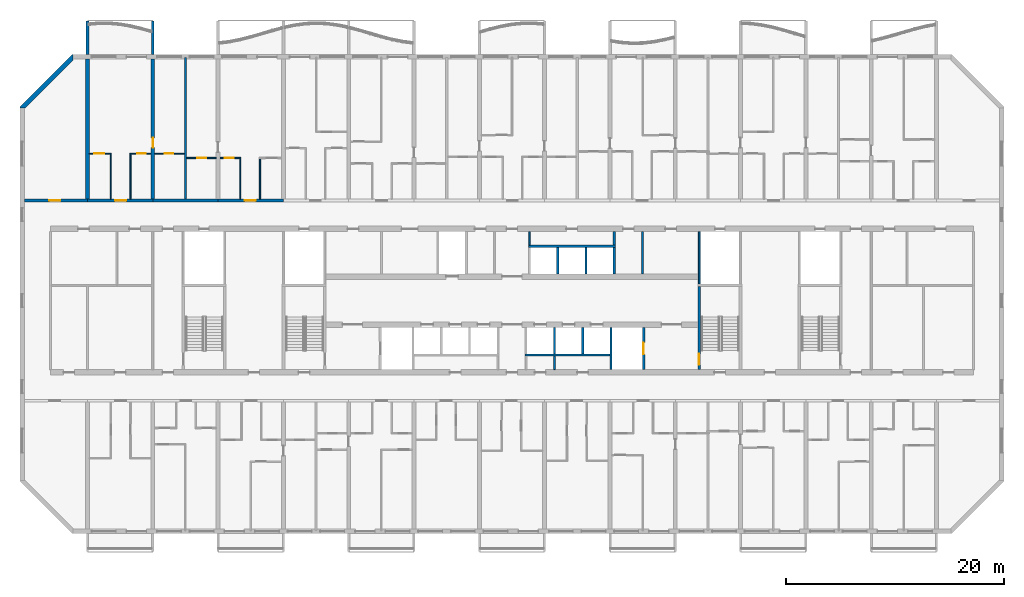
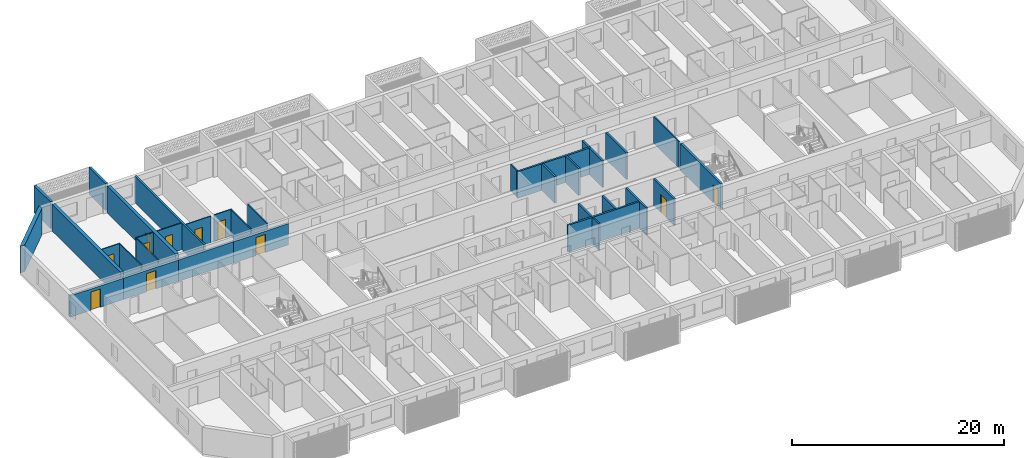
# One storey, part 9 of 29: 34 walls, 11 doors, 11 openings.
"""IFC4 building model written with IfcOpenShell, lengths in metres."""

from ifc_helpers import new_model, si_unit, direction, frame, frame_2d, origin, place, context, subcontext, project, spatial, polyline, rectangle, outline, extrude, source, transform, mapped, material, layer, layer_set, type_object, element, fill, save


model = new_model("IFC4")

# Units and contexts
model_context = context("Model", 3, precision=1e-05, world=origin(), true_north=direction((0.0, 1.0)))
body_context = subcontext(model_context, "Body", "Model", "MODEL_VIEW")
ifc_project = project(units=[si_unit("LENGTHUNIT", "METRE"), si_unit("AREAUNIT", "SQUARE_METRE"), si_unit("VOLUMEUNIT", "CUBIC_METRE"), si_unit("PLANEANGLEUNIT", "RADIAN"), si_unit("MASSUNIT", "GRAM", prefix="KILO")], contexts=[model_context])

# Site, building, storey
site_placement = place(None, origin())
site = spatial("IfcSite", under=ifc_project, at=site_placement, CompositionType="ELEMENT")
building_placement = place(site_placement, origin())
building = spatial("IfcBuilding", under=site, at=building_placement, Name="Poui Terraces", CompositionType="ELEMENT")
storey_placement = place(building_placement, frame((0.0, 0.0, 86.10009765625)))
storey = spatial("IfcBuildingStorey", under=building, at=storey_placement, Name="L23", CompositionType="ELEMENT", Elevation=86.10009765625)

# Wall
ifc_material_1 = material(Name="Fire-rated plasterboard wall")
ifc_layer_1 = layer(ifc_material_1, 0.14990234375)
ifc_layer_set_1 = layer_set([ifc_layer_1], Name="Fire-rated plasterboard wall")
wall_type_1 = type_object("IfcWallType", Name="CORRIDOR WALL 150", PredefinedType="PARTITIONING", material=ifc_layer_set_1)
wall_1_placement = place(storey_placement, frame((52.60009765625, 26.300048828125, 0.0), z_axis=(0.0, 0.0, 1.0), x_axis=(0.0, 1.0, 0.0)))
element("IfcWall", 1, at=wall_1_placement, inside=storey, type_object=wall_type_1, Name="CORRIDOR WALL 150", PredefinedType="PARTITIONING", context=body_context, shape_type="SweptSolid", body=[
    extrude(rectangle(XDim=1.239990234375, YDim=0.14990234375, at=frame_2d((0.6201171875, 0.0))), origin(), (0.0, 0.0, 1.0), 3.059814453125),
])

# Wall, opening, door
ifc_material_2 = material(Name="Concrete 65 MPa", Category="concrete")
ifc_layer_2 = layer(ifc_material_2, 0.25)
ifc_layer_set_2 = layer_set([ifc_layer_2], Name="Concrete 65 MPa")
wall_type_2 = type_object("IfcWallType", Name="CORRIDOR WALL 250 65MPa", PredefinedType="SHEAR", material=ifc_layer_set_2)
wall_2_placement = place(storey_placement, frame((6.199951171875, 30.39990234375, 0.0), z_axis=(0.0, 0.0, 1.0), x_axis=(1.0, 0.0, 0.0)))
wall_2 = element("IfcWall", 2, at=wall_2_placement, inside=storey, type_object=wall_type_2, Name="CORRIDOR WALL LINE E BAY 1", PredefinedType="SHEAR", context=body_context, shape_type="SweptSolid", body=[
    extrude(rectangle(XDim=5.800048828125, YDim=0.25, at=frame_2d((2.89990234375, 0.0))), origin(), (0.0, 0.0, 1.0), 2.4599609375),
])
opening_1_placement = place(wall_2_placement, frame((2.300048828125, 0.0, 0.0)))
opening_1 = element("IfcOpeningElement", 3, at=opening_1_placement, cuts=wall_2, Name="Opening D100", PredefinedType="OPENING", context=body_context, shape_type="SweptSolid", body=[
    extrude(rectangle(XDim=1.0, YDim=2.10009765625, at=frame_2d((0.5, 1.050048828125))), frame((0.0, 0.135009765625, 0.0), z_axis=(0.0, -1.0, 0.0), x_axis=(1.0, 0.0, 0.0)), (0.0, 0.0, 1.0), 0.27001953125),
])
ifc_material_3 = material(Name="Solid core timber door", Category="wood")
door_type_1 = type_object("IfcDoorType", Name="ACCESSIBLE INTERNAL DOOR 1000 X 2100", OperationType="NOTDEFINED", PredefinedType="DOOR", material=ifc_material_3)
door_1_placement = place(opening_1_placement, origin())
door_1 = element("IfcDoor", 4, at=door_1_placement, inside=storey, type_object=door_type_1, Name="ACCESSIBLE INTERNAL DOOR 032", OperationType="SINGLE_SWING_LEFT", OverallHeight=2.10009765625, OverallWidth=1.0, PredefinedType="DOOR", context=body_context, shape_type="SweptSolid", body=[
    extrude(rectangle(XDim=1.0, YDim=2.10009765625, at=frame_2d((0.5, 1.050048828125))), frame((0.0, 0.02490234375, 0.0), z_axis=(0.0, -1.0, 0.0), x_axis=(1.0, 0.0, 0.0)), (0.0, 0.0, 1.0), 0.050048828125),
])
fill(opening_1, door_1)

wall_3_placement = place(storey_placement, frame((12.0, 30.39990234375, 0.0), z_axis=(0.0, 0.0, 1.0), x_axis=(1.0, 0.0, 0.0)))
wall_3 = element("IfcWall", 5, at=wall_3_placement, inside=storey, type_object=wall_type_2, Name="CORRIDOR WALL LINE E BAY 2", PredefinedType="SHEAR", context=body_context, shape_type="SweptSolid", body=[
    extrude(rectangle(XDim=6.0, YDim=0.25, at=frame_2d((3.0, 0.0))), origin(), (0.0, 0.0, 1.0), 2.4599609375),
])
opening_2_placement = place(wall_3_placement, frame((2.550048828125, 0.0, 0.0)))
opening_2 = element("IfcOpeningElement", 6, at=opening_2_placement, cuts=wall_3, Name="Opening FD30S", PredefinedType="OPENING", context=body_context, shape_type="SweptSolid", body=[
    extrude(rectangle(XDim=1.0, YDim=2.10009765625, at=frame_2d((0.5, 1.050048828125))), frame((0.0, 0.135009765625, 0.0), z_axis=(0.0, -1.0, 0.0), x_axis=(1.0, 0.0, 0.0)), (0.0, 0.0, 1.0), 0.27001953125),
])
ifc_material_4 = material(Name="Steel fire door", Category="steel")
door_type_2 = type_object("IfcDoorType", Name="FLAT ENTRANCE DOOR 1000 X 2100", OperationType="NOTDEFINED", PredefinedType="DOOR", material=ifc_material_4)
door_2_placement = place(opening_2_placement, origin())
door_2 = element("IfcDoor", 7, at=door_2_placement, inside=storey, type_object=door_type_2, Name="FLAT ENTRANCE DOOR 035", OperationType="SINGLE_SWING_RIGHT", OverallHeight=2.10009765625, OverallWidth=1.0, PredefinedType="DOOR", context=body_context, shape_type="SweptSolid", body=[
    extrude(rectangle(XDim=1.0, YDim=2.10009765625, at=frame_2d((0.5, 1.050048828125))), frame((0.0, 0.02490234375, 0.0), z_axis=(0.0, -1.0, 0.0), x_axis=(1.0, 0.0, 0.0)), (0.0, 0.0, 1.0), 0.050048828125),
])
fill(opening_2, door_2)

# Wall
wall_4_placement = place(storey_placement, frame((18.0, 30.39990234375, 0.0), z_axis=(0.0, 0.0, 1.0), x_axis=(1.0, 0.0, 0.0)))
element("IfcWall", 8, at=wall_4_placement, inside=storey, type_object=wall_type_2, Name="CORRIDOR WALL LINE E BAY 3", PredefinedType="SHEAR", context=body_context, shape_type="SweptSolid", body=[
    extrude(rectangle(XDim=6.0, YDim=0.25, at=frame_2d((3.0, 0.0))), origin(), (0.0, 0.0, 1.0), 2.4599609375),
])

# Wall, opening, door
wall_5_placement = place(storey_placement, frame((24.0, 30.39990234375, 0.0), z_axis=(0.0, 0.0, 1.0), x_axis=(1.0, 0.0, 0.0)))
wall_5 = element("IfcWall", 9, at=wall_5_placement, inside=storey, type_object=wall_type_2, Name="CORRIDOR WALL LINE E BAY 4", PredefinedType="SHEAR", context=body_context, shape_type="SweptSolid", body=[
    extrude(rectangle(XDim=6.0, YDim=0.25, at=frame_2d((3.0, 0.0))), origin(), (0.0, 0.0, 1.0), 2.4599609375),
])
opening_3_placement = place(wall_5_placement, frame((2.449951171875, 0.0, 0.0)))
opening_3 = element("IfcOpeningElement", 10, at=opening_3_placement, cuts=wall_5, Name="Opening FD30S", PredefinedType="OPENING", context=body_context, shape_type="SweptSolid", body=[
    extrude(rectangle(XDim=1.0, YDim=2.10009765625, at=frame_2d((0.5, 1.050048828125))), frame((0.0, 0.135009765625, 0.0), z_axis=(0.0, -1.0, 0.0), x_axis=(1.0, 0.0, 0.0)), (0.0, 0.0, 1.0), 0.27001953125),
])
door_3_placement = place(opening_3_placement, origin())
door_3 = element("IfcDoor", 11, at=door_3_placement, inside=storey, type_object=door_type_2, Name="FLAT ENTRANCE DOOR 041", OperationType="SINGLE_SWING_LEFT", OverallHeight=2.10009765625, OverallWidth=1.0, PredefinedType="DOOR", context=body_context, shape_type="SweptSolid", body=[
    extrude(rectangle(XDim=1.0, YDim=2.10009765625, at=frame_2d((0.5, 1.050048828125))), frame((0.0, 0.02490234375, 0.0), z_axis=(0.0, -1.0, 0.0), x_axis=(1.0, 0.0, 0.0)), (0.0, 0.0, 1.0), 0.050048828125),
])
fill(opening_3, door_3)

# Wall
ifc_layer_3 = layer(ifc_material_2, 0.35009765625)
ifc_layer_set_3 = layer_set([ifc_layer_3], Name="Concrete 65 MPa")
wall_type_3 = type_object("IfcWallType", Name="CROSS WALL 350 65MPa", PredefinedType="SHEAR", material=ifc_layer_set_3)
wall_6_placement = place(storey_placement, frame((12.0, 30.52490234375, 0.0), z_axis=(0.0, 0.0, 1.0), x_axis=(0.0, 1.0, 0.0)))
element("IfcWall", 12, at=wall_6_placement, inside=storey, type_object=wall_type_3, Name="CROSS WALL LINE 3 NORTH", PredefinedType="SHEAR", context=body_context, shape_type="SweptSolid", body=[
    extrude(rectangle(XDim=12.875, YDim=0.35009765625, at=frame_2d((6.4375, 0.0))), origin(), (0.0, 0.0, 1.0), 3.059814453125),
])

# Wall, opening, door
wall_7_placement = place(storey_placement, frame((18.0, 30.52490234375, 0.0), z_axis=(0.0, 0.0, 1.0), x_axis=(0.0, 1.0, 0.0)))
wall_7 = element("IfcWall", 13, at=wall_7_placement, inside=storey, type_object=wall_type_3, Name="CROSS WALL LINE 4 NORTH", PredefinedType="SHEAR", context=body_context, shape_type="SweptSolid", body=[
    extrude(rectangle(XDim=12.875, YDim=0.35009765625, at=frame_2d((6.4375, 0.0))), origin(), (0.0, 0.0, 1.0), 3.059814453125),
])
opening_4_placement = place(wall_7_placement, frame((4.72509765625, 0.0, 0.0)))
opening_4 = element("IfcOpeningElement", 14, at=opening_4_placement, cuts=wall_7, Name="Opening D90", PredefinedType="OPENING", context=body_context, shape_type="SweptSolid", body=[
    extrude(rectangle(XDim=0.89990234375, YDim=2.10009765625, at=frame_2d((0.449951171875, 1.050048828125))), frame((0.0, 0.18505859375, 0.0), z_axis=(0.0, -1.0, 0.0), x_axis=(1.0, 0.0, 0.0)), (0.0, 0.0, 1.0), 0.3701171875),
])
door_type_3 = type_object("IfcDoorType", Name="INTERNAL DOOR 900 X 2100", OperationType="NOTDEFINED", PredefinedType="DOOR", material=ifc_material_3)
door_4_placement = place(opening_4_placement, frame((0.89990234375, 0.0, 0.0), z_axis=(0.0, 0.0, 1.0), x_axis=(-1.0, 0.0, 0.0)))
door_4 = element("IfcDoor", 15, at=door_4_placement, inside=storey, type_object=door_type_3, Name="INTERNAL DOOR 037", OperationType="SINGLE_SWING_RIGHT", OverallHeight=2.10009765625, OverallWidth=0.89990234375, PredefinedType="DOOR", context=body_context, shape_type="SweptSolid", body=[
    extrude(rectangle(XDim=0.89990234375, YDim=2.10009765625, at=frame_2d((0.449951171875, 1.050048828125))), frame((0.0, 0.02490234375, 0.0), z_axis=(0.0, -1.0, 0.0), x_axis=(1.0, 0.0, 0.0)), (0.0, 0.0, 1.0), 0.050048828125),
])
fill(opening_4, door_4)

ifc_material_5 = material(Name="Plasterboard partition")
ifc_layer_4 = layer(ifc_material_5, 0.10009765625)
ifc_layer_set_4 = layer_set([ifc_layer_4], Name="Plasterboard partition")
wall_type_4 = type_object("IfcWallType", Name="FLAT PARTITION 100", PredefinedType="PARTITIONING", material=ifc_layer_set_4)
wall_8_placement = place(storey_placement, frame((21.10009765625, 34.300048828125, 0.0), z_axis=(0.0, 0.0, 1.0), x_axis=(1.0, 0.0, 0.0)))
wall_8 = element("IfcWall", 16, at=wall_8_placement, inside=storey, type_object=wall_type_4, Name="FLAT PARTITION 100", PredefinedType="PARTITIONING", context=body_context, shape_type="SweptSolid", body=[
    extrude(rectangle(XDim=2.71484375, YDim=0.10009765625, at=frame_2d((1.357421875, 0.0))), origin(), (0.0, 0.0, 1.0), 3.059814453125),
])
opening_5_placement = place(wall_8_placement, frame((1.0, 0.0, 0.0)))
opening_5 = element("IfcOpeningElement", 17, at=opening_5_placement, cuts=wall_8, Name="Opening D80", PredefinedType="OPENING", context=body_context, shape_type="SweptSolid", body=[
    extrude(rectangle(XDim=0.800048828125, YDim=2.10009765625, at=frame_2d((0.39990234375, 1.050048828125))), frame((0.0, 0.06005859375, 0.0), z_axis=(0.0, -1.0, 0.0), x_axis=(1.0, 0.0, 0.0)), (0.0, 0.0, 1.0), 0.1201171875),
])
door_type_4 = type_object("IfcDoorType", Name="BATHROOM, LAUNDRY AND STORE DOOR 800 X 2100", OperationType="NOTDEFINED", PredefinedType="DOOR", material=ifc_material_3)
door_5_placement = place(opening_5_placement, frame((0.800048828125, 0.0, 0.0), z_axis=(0.0, 0.0, 1.0), x_axis=(-1.0, 0.0, 0.0)))
door_5 = element("IfcDoor", 18, at=door_5_placement, inside=storey, type_object=door_type_4, Name="BATHROOM, LAUNDRY AND STORE DOOR 038", OperationType="SINGLE_SWING_RIGHT", OverallHeight=2.10009765625, OverallWidth=0.800048828125, PredefinedType="DOOR", context=body_context, shape_type="SweptSolid", body=[
    extrude(rectangle(XDim=0.800048828125, YDim=2.10009765625, at=frame_2d((0.39990234375, 1.050048828125))), frame((0.0, 0.02490234375, 0.0), z_axis=(0.0, -1.0, 0.0), x_axis=(1.0, 0.0, 0.0)), (0.0, 0.0, 1.0), 0.050048828125),
])
fill(opening_5, door_5)

wall_9_placement = place(storey_placement, frame((24.18505859375, 34.300048828125, 0.0), z_axis=(0.0, 0.0, 1.0), x_axis=(1.0, 0.0, 0.0)))
wall_9 = element("IfcWall", 19, at=wall_9_placement, inside=storey, type_object=wall_type_4, Name="FLAT PARTITION 100", PredefinedType="PARTITIONING", context=body_context, shape_type="SweptSolid", body=[
    extrude(rectangle(XDim=1.9150390625, YDim=0.10009765625, at=frame_2d((0.95751953125, 0.0))), origin(), (0.0, 0.0, 1.0), 3.059814453125),
])
opening_6_placement = place(wall_9_placement, frame((0.43994140625, 0.0, 0.0)))
opening_6 = element("IfcOpeningElement", 20, at=opening_6_placement, cuts=wall_9, Name="Opening D80", PredefinedType="OPENING", context=body_context, shape_type="SweptSolid", body=[
    extrude(rectangle(XDim=0.800048828125, YDim=2.10009765625, at=frame_2d((0.39990234375, 1.050048828125))), frame((0.0, 0.06005859375, 0.0), z_axis=(0.0, -1.0, 0.0), x_axis=(1.0, 0.0, 0.0)), (0.0, 0.0, 1.0), 0.1201171875),
])
door_6_placement = place(opening_6_placement, frame((0.800048828125, 0.0, 0.0), z_axis=(0.0, 0.0, 1.0), x_axis=(-1.0, 0.0, 0.0)))
door_6 = element("IfcDoor", 21, at=door_6_placement, inside=storey, type_object=door_type_4, Name="BATHROOM, LAUNDRY AND STORE DOOR 040", OperationType="SINGLE_SWING_LEFT", OverallHeight=2.10009765625, OverallWidth=0.800048828125, PredefinedType="DOOR", context=body_context, shape_type="SweptSolid", body=[
    extrude(rectangle(XDim=0.800048828125, YDim=2.10009765625, at=frame_2d((0.39990234375, 1.050048828125))), frame((0.0, 0.02490234375, 0.0), z_axis=(0.0, -1.0, 0.0), x_axis=(1.0, 0.0, 0.0)), (0.0, 0.0, 1.0), 0.050048828125),
])
fill(opening_6, door_6)

wall_10_placement = place(storey_placement, frame((12.18505859375, 34.699951171875, 0.0), z_axis=(0.0, 0.0, 1.0), x_axis=(1.0, 0.0, 0.0)))
wall_10 = element("IfcWall", 22, at=wall_10_placement, inside=storey, type_object=wall_type_4, Name="FLAT PARTITION 100", PredefinedType="PARTITIONING", context=body_context, shape_type="SweptSolid", body=[
    extrude(rectangle(XDim=2.014892578125, YDim=0.10009765625, at=frame_2d((1.00732421875, 0.0))), origin(), (0.0, 0.0, 1.0), 3.059814453125),
])
opening_7_placement = place(wall_10_placement, frame((0.43994140625, 0.0, 0.0)))
opening_7 = element("IfcOpeningElement", 23, at=opening_7_placement, cuts=wall_10, Name="Opening D90", PredefinedType="OPENING", context=body_context, shape_type="SweptSolid", body=[
    extrude(rectangle(XDim=0.89990234375, YDim=2.10009765625, at=frame_2d((0.449951171875, 1.050048828125))), frame((0.0, 0.06005859375, 0.0), z_axis=(0.0, -1.0, 0.0), x_axis=(1.0, 0.0, 0.0)), (0.0, 0.0, 1.0), 0.1201171875),
])
door_7_placement = place(opening_7_placement, frame((0.89990234375, 0.0, 0.0), z_axis=(0.0, 0.0, 1.0), x_axis=(-1.0, 0.0, 0.0)))
door_7 = element("IfcDoor", 24, at=door_7_placement, inside=storey, type_object=door_type_3, Name="INTERNAL DOOR 034", OperationType="SINGLE_SWING_RIGHT", OverallHeight=2.10009765625, OverallWidth=0.89990234375, PredefinedType="DOOR", context=body_context, shape_type="SweptSolid", body=[
    extrude(rectangle(XDim=0.89990234375, YDim=2.10009765625, at=frame_2d((0.449951171875, 1.050048828125))), frame((0.0, 0.02490234375, 0.0), z_axis=(0.0, -1.0, 0.0), x_axis=(1.0, 0.0, 0.0)), (0.0, 0.0, 1.0), 0.050048828125),
])
fill(opening_7, door_7)

wall_11_placement = place(storey_placement, frame((15.89990234375, 34.699951171875, 0.0), z_axis=(0.0, 0.0, 1.0), x_axis=(1.0, 0.0, 0.0)))
wall_11 = element("IfcWall", 25, at=wall_11_placement, inside=storey, type_object=wall_type_4, Name="FLAT PARTITION 100", PredefinedType="PARTITIONING", context=body_context, shape_type="SweptSolid", body=[
    extrude(rectangle(XDim=1.9150390625, YDim=0.10009765625, at=frame_2d((0.95751953125, 0.0))), origin(), (0.0, 0.0, 1.0), 3.059814453125),
])
opening_8_placement = place(wall_11_placement, frame((0.675048828125, 0.0, 0.0)))
opening_8 = element("IfcOpeningElement", 26, at=opening_8_placement, cuts=wall_11, Name="Opening D80", PredefinedType="OPENING", context=body_context, shape_type="SweptSolid", body=[
    extrude(rectangle(XDim=0.800048828125, YDim=2.10009765625, at=frame_2d((0.39990234375, 1.050048828125))), frame((0.0, 0.06005859375, 0.0), z_axis=(0.0, -1.0, 0.0), x_axis=(1.0, 0.0, 0.0)), (0.0, 0.0, 1.0), 0.1201171875),
])
door_8_placement = place(opening_8_placement, frame((0.800048828125, 0.0, 0.0), z_axis=(0.0, 0.0, 1.0), x_axis=(-1.0, 0.0, 0.0)))
door_8 = element("IfcDoor", 27, at=door_8_placement, inside=storey, type_object=door_type_4, Name="BATHROOM, LAUNDRY AND STORE DOOR 036", OperationType="SINGLE_SWING_LEFT", OverallHeight=2.10009765625, OverallWidth=0.800048828125, PredefinedType="DOOR", context=body_context, shape_type="SweptSolid", body=[
    extrude(rectangle(XDim=0.800048828125, YDim=2.10009765625, at=frame_2d((0.39990234375, 1.050048828125))), frame((0.0, 0.02490234375, 0.0), z_axis=(0.0, -1.0, 0.0), x_axis=(1.0, 0.0, 0.0)), (0.0, 0.0, 1.0), 0.050048828125),
])
fill(opening_8, door_8)

wall_12_placement = place(storey_placement, frame((18.18505859375, 34.699951171875, 0.0), z_axis=(0.0, 0.0, 1.0), x_axis=(1.0, 0.0, 0.0)))
wall_12 = element("IfcWall", 28, at=wall_12_placement, inside=storey, type_object=wall_type_4, Name="FLAT PARTITION 100", PredefinedType="PARTITIONING", context=body_context, shape_type="SweptSolid", body=[
    extrude(rectangle(XDim=2.71484375, YDim=0.10009765625, at=frame_2d((1.357421875, 0.0))), origin(), (0.0, 0.0, 1.0), 3.059814453125),
])
opening_9_placement = place(wall_12_placement, frame((0.9150390625, 0.0, 0.0)))
opening_9 = element("IfcOpeningElement", 29, at=opening_9_placement, cuts=wall_12, Name="Opening D80", PredefinedType="OPENING", context=body_context, shape_type="SweptSolid", body=[
    extrude(rectangle(XDim=0.800048828125, YDim=2.10009765625, at=frame_2d((0.39990234375, 1.050048828125))), frame((0.0, 0.06005859375, 0.0), z_axis=(0.0, -1.0, 0.0), x_axis=(1.0, 0.0, 0.0)), (0.0, 0.0, 1.0), 0.1201171875),
])
door_9_placement = place(opening_9_placement, frame((0.800048828125, 0.0, 0.0), z_axis=(0.0, 0.0, 1.0), x_axis=(-1.0, 0.0, 0.0)))
door_9 = element("IfcDoor", 30, at=door_9_placement, inside=storey, type_object=door_type_4, Name="BATHROOM, LAUNDRY AND STORE DOOR 033", OperationType="SINGLE_SWING_LEFT", OverallHeight=2.10009765625, OverallWidth=0.800048828125, PredefinedType="DOOR", context=body_context, shape_type="SweptSolid", body=[
    extrude(rectangle(XDim=0.800048828125, YDim=2.10009765625, at=frame_2d((0.39990234375, 1.050048828125))), frame((0.0, 0.02490234375, 0.0), z_axis=(0.0, -1.0, 0.0), x_axis=(1.0, 0.0, 0.0)), (0.0, 0.0, 1.0), 0.050048828125),
])
fill(opening_9, door_9)

# Walls
for number, where, z_axis, x_axis, name in (
    (31, (14.14990234375, 30.534912109375, 0.0), (0.0, 0.0, 1.0), (0.0, 1.0, 0.0), "FLAT PARTITION 100"),
    (32, (15.949951171875, 30.534912109375, 0.0), (0.0, 0.0, 1.0), (0.0, 1.0, 0.0), "FLAT PARTITION 100"),
):
    element("IfcWall", number, at=place(storey_placement, frame(where, z_axis=z_axis, x_axis=x_axis)), inside=storey, type_object=wall_type_4, Name=name, PredefinedType="PARTITIONING", context=body_context, shape_type="SweptSolid", body=[
        extrude(rectangle(XDim=4.114990234375, YDim=0.10009765625, at=frame_2d((2.0576171875, 0.0))), origin(), (0.0, 0.0, 1.0), 3.059814453125),
    ])
for number, where, z_axis, x_axis, name in (
    (33, (26.050048828125, 30.534912109375, 0.0), (0.0, 0.0, 1.0), (0.0, 1.0, 0.0), "FLAT PARTITION 100"),
    (34, (27.85009765625, 30.534912109375, 0.0), (0.0, 0.0, 1.0), (0.0, 1.0, 0.0), "FLAT PARTITION 100"),
):
    element("IfcWall", number, at=place(storey_placement, frame(where, z_axis=z_axis, x_axis=x_axis)), inside=storey, type_object=wall_type_4, Name=name, PredefinedType="PARTITIONING", context=body_context, shape_type="SweptSolid", body=[
        extrude(rectangle(XDim=3.715087890625, YDim=0.10009765625, at=frame_2d((1.857421875, 0.0))), origin(), (0.0, 0.0, 1.0), 3.059814453125),
    ])
ifc_material_6 = material(Name="Fire-rated masonry wall", Category="masonry")
ifc_layer_5 = layer(ifc_material_6, 0.199951171875)
ifc_layer_set_5 = layer_set([ifc_layer_5], Name="Fire-rated masonry wall")
wall_type_5 = type_object("IfcWallType", Name="FLAT PARTY WALL 200", PredefinedType="PARTITIONING", material=ifc_layer_set_5)
wall_13_placement = place(storey_placement, frame((21.0, 30.534912109375, 0.0), z_axis=(0.0, 0.0, 1.0), x_axis=(0.0, 1.0, 0.0)))
element("IfcWall", 35, at=wall_13_placement, inside=storey, type_object=wall_type_5, Name="FLAT PARTY WALL 200", PredefinedType="PARTITIONING", context=body_context, shape_type="SweptSolid", body=[
    extrude(rectangle(XDim=13.005126953125, YDim=0.199951171875, at=frame_2d((6.50244140625, 0.0))), origin(), (0.0, 0.0, 1.0), 3.059814453125),
])
ifc_layer_6 = layer(ifc_material_5, 0.14990234375)
ifc_layer_set_6 = layer_set([ifc_layer_6], Name="Plasterboard partition")
wall_type_6 = type_object("IfcWallType", Name="PARTITION WALL 150", PredefinedType="PARTITIONING", material=ifc_layer_set_6)
wall_14_placement = place(storey_placement, frame((54.89990234375, 14.860107421875, 0.0), z_axis=(0.0, 0.0, 1.0), x_axis=(0.0, 1.0, 0.0)))
element("IfcWall", 36, at=wall_14_placement, inside=storey, type_object=wall_type_6, Name="PARTITION WALL 150", PredefinedType="PARTITIONING", context=body_context, shape_type="SweptSolid", body=[
    extrude(rectangle(XDim=1.239990234375, YDim=0.14990234375, at=frame_2d((0.6201171875, 0.0))), origin(), (0.0, 0.0, 1.0), 3.059814453125),
])
ifc_layer_7 = layer(ifc_material_6, 0.199951171875)
ifc_layer_set_7 = layer_set([ifc_layer_7], Name="Fire-rated masonry wall")
wall_type_7 = type_object("IfcWallType", Name="PLANT ROOM WALL 200", PredefinedType="PARTITIONING", material=ifc_layer_set_7)
wall_15_placement = place(storey_placement, frame((60.39990234375, 26.300048828125, 0.0), z_axis=(0.0, 0.0, 1.0), x_axis=(0.0, 1.0, 0.0)))
element("IfcWall", 37, at=wall_15_placement, inside=storey, type_object=wall_type_7, Name="PLANT ROOM WALL 200", PredefinedType="PARTITIONING", context=body_context, shape_type="SweptSolid", body=[
    extrude(rectangle(XDim=1.239990234375, YDim=0.199951171875, at=frame_2d((0.6201171875, 0.0))), origin(), (0.0, 0.0, 1.0), 3.059814453125),
])
wall_16_placement = place(storey_placement, frame((63.0, 23.659912109375, 0.0), z_axis=(0.0, 0.0, 1.0), x_axis=(0.0, 1.0, 0.0)))
element("IfcWall", 38, at=wall_16_placement, inside=storey, type_object=wall_type_7, Name="PLANT ROOM WALL 200", PredefinedType="PARTITIONING", context=body_context, shape_type="SweptSolid", body=[
    extrude(rectangle(XDim=3.880126953125, YDim=0.199951171875, at=frame_2d((1.93994140625, 0.0))), origin(), (0.0, 0.0, 1.0), 3.059814453125),
])
ifc_material_7 = material(Name="Fire-rated plasterboard riser wall")
ifc_layer_8 = layer(ifc_material_7, 0.14990234375)
ifc_layer_set_8 = layer_set([ifc_layer_8], Name="Fire-rated plasterboard riser wall")
wall_type_8 = type_object("IfcWallType", Name="RISER WALL 150", PredefinedType="PARTITIONING", material=ifc_layer_set_8)
wall_17_placement = place(storey_placement, frame((68.199951171875, 22.735107421875, 0.0), z_axis=(0.0, 0.0, 1.0), x_axis=(0.0, 1.0, 0.0)))
element("IfcWall", 39, at=wall_17_placement, inside=storey, type_object=wall_type_8, Name="RISER WALL 150", PredefinedType="PARTITIONING", context=body_context, shape_type="SweptSolid", body=[
    extrude(rectangle(XDim=4.804931640625, YDim=0.14990234375, at=frame_2d((2.40234375, 0.0))), origin(), (0.0, 0.0, 1.0), 3.059814453125),
])
ifc_material_8 = material(Name="Fire-rated masonry shaft wall", Category="masonry")
ifc_layer_9 = layer(ifc_material_8, 0.199951171875)
ifc_layer_set_9 = layer_set([ifc_layer_9], Name="Fire-rated masonry shaft wall")
wall_type_9 = type_object("IfcWallType", Name="SHAFT WALL 200", PredefinedType="PARTITIONING", material=ifc_layer_set_9)
wall_18_placement = place(storey_placement, frame((52.199951171875, 16.199951171875, 0.0), z_axis=(0.0, 0.0, 1.0), x_axis=(1.0, 0.0, 0.0)))
element("IfcWall", 40, at=wall_18_placement, inside=storey, type_object=wall_type_9, Name="SHAFT WALL 200", PredefinedType="PARTITIONING", context=body_context, shape_type="SweptSolid", body=[
    extrude(rectangle(XDim=7.800048828125, YDim=0.199951171875, at=frame_2d((3.89990234375, 0.0))), origin(), (0.0, 0.0, 1.0), 3.059814453125),
])
wall_19_placement = place(storey_placement, frame((52.5, 26.199951171875, 0.0), z_axis=(0.0, 0.0, 1.0), x_axis=(1.0, 0.0, 0.0)))
element("IfcWall", 41, at=wall_19_placement, inside=storey, type_object=wall_type_9, Name="SHAFT WALL 200", PredefinedType="PARTITIONING", context=body_context, shape_type="SweptSolid", body=[
    extrude(rectangle(XDim=8.0, YDim=0.199951171875, at=frame_2d((4.0, 0.0))), origin(), (0.0, 0.0, 1.0), 3.059814453125),
])
wall_20_placement = place(storey_placement, frame((54.89990234375, 16.300048828125, 0.0), z_axis=(0.0, 0.0, 1.0), x_axis=(0.0, 1.0, 0.0)))
element("IfcWall", 42, at=wall_20_placement, inside=storey, type_object=wall_type_9, Name="SHAFT WALL 200", PredefinedType="PARTITIONING", context=body_context, shape_type="SweptSolid", body=[
    extrude(rectangle(XDim=2.43994140625, YDim=0.199951171875, at=frame_2d((1.219970703125, 0.0))), origin(), (0.0, 0.0, 1.0), 3.059814453125),
])
wall_21_placement = place(storey_placement, frame((55.199951171875, 23.659912109375, 0.0), z_axis=(0.0, 0.0, 1.0), x_axis=(0.0, 1.0, 0.0)))
element("IfcWall", 43, at=wall_21_placement, inside=storey, type_object=wall_type_9, Name="SHAFT WALL 200", PredefinedType="PARTITIONING", context=body_context, shape_type="SweptSolid", body=[
    extrude(rectangle(XDim=2.440185546875, YDim=0.199951171875, at=frame_2d((1.22021484375, 0.0))), origin(), (0.0, 0.0, 1.0), 3.059814453125),
])
wall_22_placement = place(storey_placement, frame((57.5, 16.300048828125, 0.0), z_axis=(0.0, 0.0, 1.0), x_axis=(0.0, 1.0, 0.0)))
element("IfcWall", 44, at=wall_22_placement, inside=storey, type_object=wall_type_9, Name="SHAFT WALL 200", PredefinedType="PARTITIONING", context=body_context, shape_type="SweptSolid", body=[
    extrude(rectangle(XDim=2.43994140625, YDim=0.199951171875, at=frame_2d((1.219970703125, 0.0))), origin(), (0.0, 0.0, 1.0), 3.059814453125),
])
wall_23_placement = place(storey_placement, frame((57.800048828125, 23.659912109375, 0.0), z_axis=(0.0, 0.0, 1.0), x_axis=(0.0, 1.0, 0.0)))
element("IfcWall", 45, at=wall_23_placement, inside=storey, type_object=wall_type_9, Name="SHAFT WALL 200", PredefinedType="PARTITIONING", context=body_context, shape_type="SweptSolid", body=[
    extrude(rectangle(XDim=2.440185546875, YDim=0.199951171875, at=frame_2d((1.22021484375, 0.0))), origin(), (0.0, 0.0, 1.0), 3.059814453125),
])
wall_24_placement = place(storey_placement, frame((60.10009765625, 14.860107421875, 0.0), z_axis=(0.0, 0.0, 1.0), x_axis=(0.0, 1.0, 0.0)))
element("IfcWall", 46, at=wall_24_placement, inside=storey, type_object=wall_type_9, Name="SHAFT WALL 200", PredefinedType="PARTITIONING", context=body_context, shape_type="SweptSolid", body=[
    extrude(rectangle(XDim=3.8798828125, YDim=0.199951171875, at=frame_2d((1.93994140625, 0.0))), origin(), (0.0, 0.0, 1.0), 3.059814453125),
])
wall_25_placement = place(storey_placement, frame((60.39990234375, 23.659912109375, 0.0), z_axis=(0.0, 0.0, 1.0), x_axis=(0.0, 1.0, 0.0)))
element("IfcWall", 47, at=wall_25_placement, inside=storey, type_object=wall_type_9, Name="SHAFT WALL 200", PredefinedType="PARTITIONING", context=body_context, shape_type="SweptSolid", body=[
    extrude(rectangle(XDim=2.440185546875, YDim=0.199951171875, at=frame_2d((1.22021484375, 0.0))), origin(), (0.0, 0.0, 1.0), 3.059814453125),
])

# Wall, opening, door
wall_26_placement = place(storey_placement, frame((63.10009765625, 14.860107421875, 0.0), z_axis=(0.0, 0.0, 1.0), x_axis=(0.0, 1.0, 0.0)))
wall_26 = element("IfcWall", 48, at=wall_26_placement, inside=storey, type_object=wall_type_9, Name="SHAFT WALL 200", PredefinedType="PARTITIONING", context=body_context, shape_type="SweptSolid", body=[
    extrude(rectangle(XDim=3.8798828125, YDim=0.199951171875, at=frame_2d((1.93994140625, 0.0))), origin(), (0.0, 0.0, 1.0), 3.059814453125),
])
opening_10_placement = place(wall_26_placement, frame((1.389892578125, 0.0, 0.0)))
opening_10 = element("IfcOpeningElement", 49, at=opening_10_placement, cuts=wall_26, Name="Opening LD", PredefinedType="OPENING", context=body_context, shape_type="SweptSolid", body=[
    extrude(rectangle(XDim=1.10009765625, YDim=2.10009765625, at=frame_2d((0.550048828125, 1.050048828125))), frame((0.0, 0.10986328125, 0.0), z_axis=(0.0, -1.0, 0.0), x_axis=(1.0, 0.0, 0.0)), (0.0, 0.0, 1.0), 0.219970703125),
])
ifc_material_9 = material(Name="Stainless steel sliding door", Category="steel")
door_type_5 = type_object("IfcDoorType", Name="LIFT LANDING DOOR 1100 X 2100", OperationType="DOUBLE_DOOR_SLIDING", PredefinedType="DOOR", material=ifc_material_9)
door_10_placement = place(opening_10_placement, origin())
door_10 = element("IfcDoor", 50, at=door_10_placement, inside=storey, type_object=door_type_5, Name="LANDING DOOR", OperationType="DOUBLE_DOOR_SLIDING", OverallHeight=2.10009765625, OverallWidth=1.10009765625, PredefinedType="DOOR", context=body_context, shape_type="SweptSolid", body=[
    extrude(rectangle(XDim=1.10009765625, YDim=2.10009765625, at=frame_2d((0.550048828125, 1.050048828125))), frame((0.0, 0.02490234375, 0.0), z_axis=(0.0, -1.0, 0.0), x_axis=(1.0, 0.0, 0.0)), (0.0, 0.0, 1.0), 0.050048828125),
])
fill(opening_10, door_10)

ifc_layer_10 = layer(ifc_material_2, 0.25)
ifc_layer_set_10 = layer_set([ifc_layer_10], Name="Concrete 65 MPa")
wall_type_10 = type_object("IfcWallType", Name="STAIR CORE WALL 250 65 MPA", PredefinedType="SOLIDWALL", material=ifc_layer_set_10)
wall_27_placement = place(storey_placement, frame((68.199951171875, 14.85009765625, 0.0), z_axis=(0.0, 0.0, 1.0), x_axis=(0.0, 1.0, 0.0)))
wall_27 = element("IfcWall", 51, at=wall_27_placement, inside=storey, type_object=wall_type_10, Name="STAIR CORE WALL", PredefinedType="SOLIDWALL", context=body_context, shape_type="SweptSolid", body=[
    extrude(rectangle(XDim=7.625, YDim=0.25, at=frame_2d((3.8125, 0.0))), origin(), (0.0, 0.0, 1.0), 3.059814453125),
])
opening_11_placement = place(wall_27_placement, frame((0.449951171875, 0.0, 0.0)))
opening_11 = element("IfcOpeningElement", 52, at=opening_11_placement, cuts=wall_27, Name="Opening FD60S", PredefinedType="OPENING", context=body_context, shape_type="SweptSolid", body=[
    extrude(rectangle(XDim=1.0, YDim=2.10009765625, at=frame_2d((0.5, 1.050048828125))), frame((0.0, 0.135009765625, 0.0), z_axis=(0.0, -1.0, 0.0), x_axis=(1.0, 0.0, 0.0)), (0.0, 0.0, 1.0), 0.27001953125),
])
door_type_6 = type_object("IfcDoorType", Name="STAIR DOOR 1000 X 2100", OperationType="NOTDEFINED", PredefinedType="DOOR", material=ifc_material_4)
door_11_placement = place(opening_11_placement, frame((1.0, 0.0, 0.0), z_axis=(0.0, 0.0, 1.0), x_axis=(-1.0, 0.0, 0.0)))
door_11 = element("IfcDoor", 53, at=door_11_placement, inside=storey, type_object=door_type_6, Name="STAIR DOOR 137", OperationType="SINGLE_SWING_LEFT", OverallHeight=2.10009765625, OverallWidth=1.0, PredefinedType="DOOR", context=body_context, shape_type="SweptSolid", body=[
    extrude(rectangle(XDim=1.0, YDim=2.10009765625, at=frame_2d((0.5, 1.050048828125))), frame((0.0, 0.02490234375, 0.0), z_axis=(0.0, -1.0, 0.0), x_axis=(1.0, 0.0, 0.0)), (0.0, 0.0, 1.0), 0.050048828125),
])
fill(opening_11, door_11)

# Walls
ifc_material_10 = material(Name="Precast concrete 40 MPa", Category="concrete")
ifc_layer_11 = layer(ifc_material_10, 0.39990234375)
ifc_layer_set_11 = layer_set([ifc_layer_11], Name="Precast concrete 40 MPa")
wall_type_11 = type_object("IfcWallType", Name="TERRACOTTA CLAD CHAMFER WALL 400", PredefinedType="STANDARD", material=ifc_layer_set_11)
wall_28_placement = place(storey_placement, origin())
element("IfcWall", 54, at=wall_28_placement, inside=storey, type_object=wall_type_11, Name="CHAMFER WALL CH05", PredefinedType="STANDARD", context=body_context, shape_type="SweptSolid", body=[
    extrude(outline(polyline([(10.682861328125, 43.800048828125), (10.60009765625, 43.800048828125), (5.800048828125, 39.0), (5.800048828125, 38.917236328125), (6.28271484375, 38.917236328125), (10.682861328125, 43.317138671875), (10.682861328125, 43.800048828125)])), origin(), (0.0, 0.0, 1.0), 3.059814453125),
])
ifc_layer_12 = layer(ifc_material_10, 0.25)
ifc_layer_set_12 = layer_set([ifc_layer_12], Name="Precast concrete 40 MPa")
wall_type_12 = type_object("IfcWallType", Name="BALCONY FIN 250", PredefinedType="STANDARD", material=ifc_layer_set_12)
shared_shape = source(origin(), body_context, "Body", "SweptSolid", [
    extrude(outline(polyline([(0.0, 0.0), (0.25, 0.0), (0.25, 3.099853515625), (0.0, 3.099853515625), (0.0, 0.0)])), origin(), (0.0, 0.0, 1.0), 3.099853515625),
])
for number, where, name in (
    (55, (11.875, 43.800048828125, 0.0), "BALCONY FIN"),
    (56, (17.875, 43.800048828125, 0.0), "BALCONY FIN"),
):
    element("IfcWall", number, at=place(storey_placement, frame(where)), inside=storey, type_object=wall_type_12, Name=name, PredefinedType="STANDARD", context=body_context, shape_type="MappedRepresentation", body=[
        mapped(shared_shape, transform((0.0, 0.0, 0.0))),
    ])

save(model, "model.ifc")
